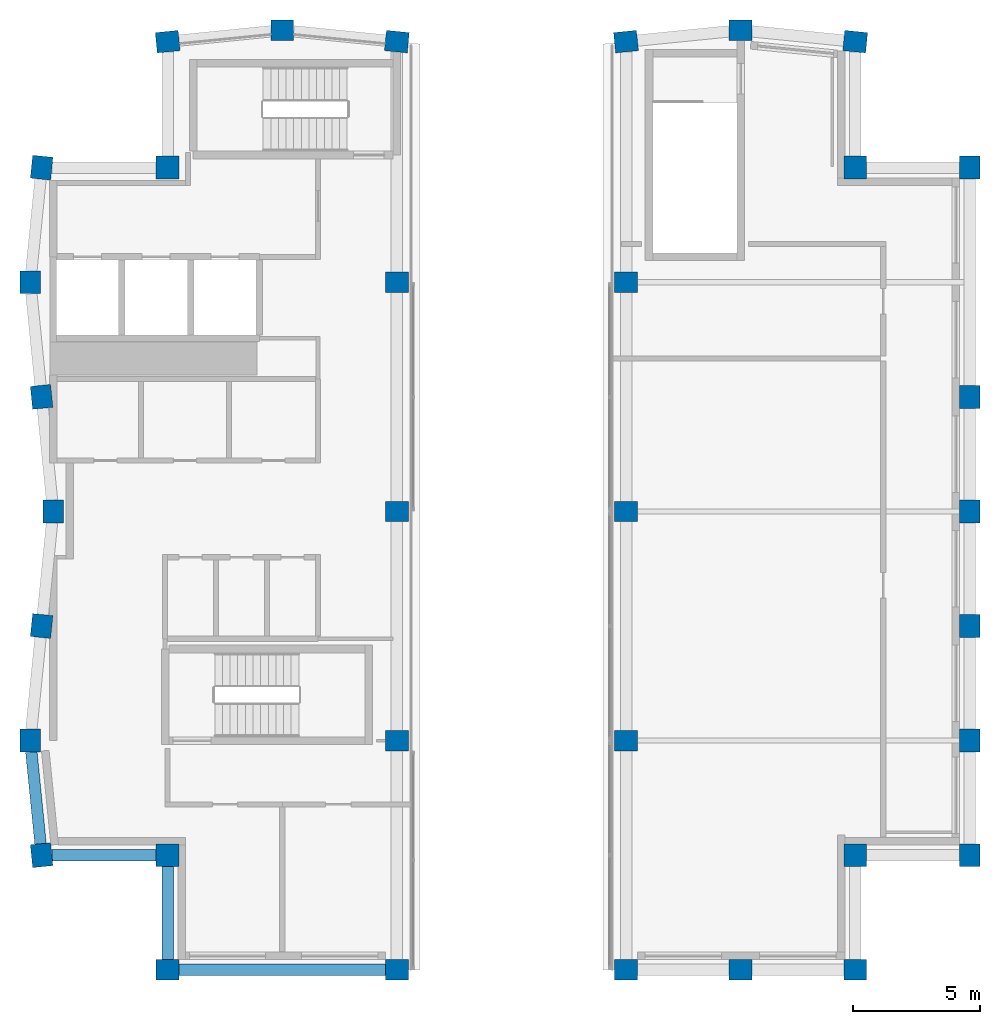
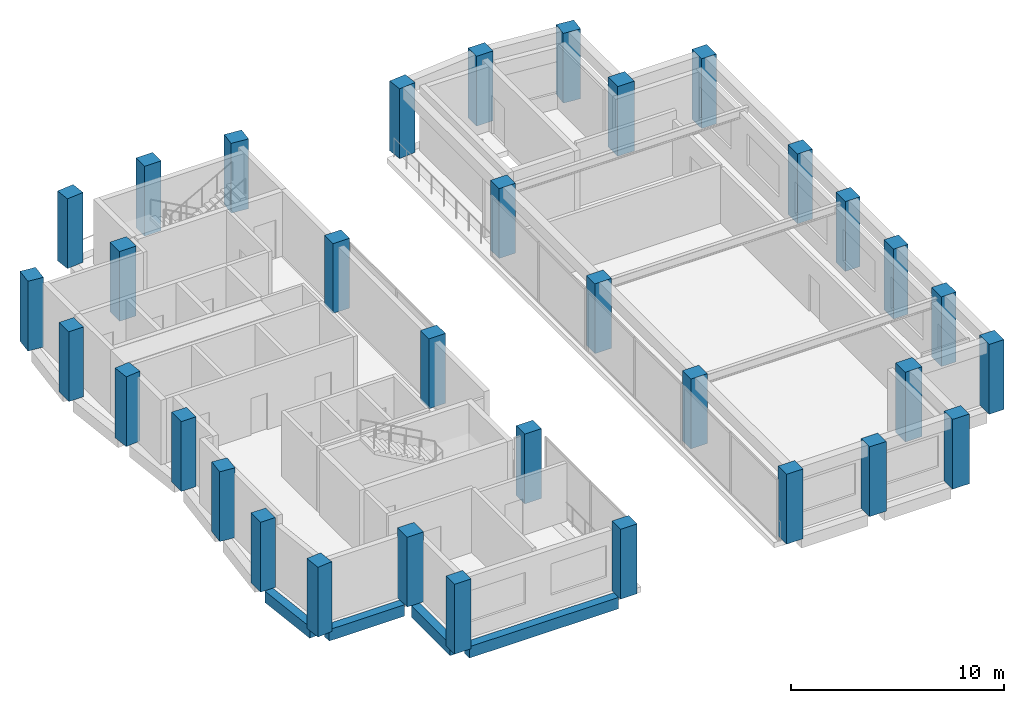
# One storey, part 1 of 9: 34 columns, 4 beams.
"""IFC4 building model written with IfcOpenShell, lengths in metres."""

from ifc_helpers import new_model, si_unit, direction, frame, origin, origin_2d, place, context, subcontext, project, spatial, rectangle, extrude, material, material_profile, profile_set, type_object, element, save


model = new_model("IFC4")

# Units and contexts
model_context = context("Model", 3, precision=1e-05, world=origin(), true_north=direction((0.0, 1.0)))
body_context = subcontext(model_context, "Body", "Model", "MODEL_VIEW")
ifc_project = project(units=[si_unit("LENGTHUNIT", "METRE"), si_unit("AREAUNIT", "SQUARE_METRE"), si_unit("VOLUMEUNIT", "CUBIC_METRE"), si_unit("PLANEANGLEUNIT", "RADIAN"), si_unit("MASSUNIT", "GRAM", prefix="KILO")], contexts=[model_context])

# Site, building, storey
site_placement = place(None, origin())
site = spatial("IfcSite", under=ifc_project, at=site_placement, CompositionType="ELEMENT")
building_placement = place(site_placement, origin())
building = spatial("IfcBuilding", under=site, at=building_placement, Name="Brondeck Convention Tower", CompositionType="ELEMENT")
storey_placement = place(building_placement, frame((0.0, 0.0, 294.800048828125)))
storey = spatial("IfcBuildingStorey", under=building, at=storey_placement, Name="L73", CompositionType="ELEMENT", Elevation=294.800048828125)

# Columns
ifc_material = material(Name="Concrete C50/60", Category="concrete")
ifc_material_profile_1 = material_profile(ifc_material, rectangle(XDim=0.89990234375, YDim=0.89990234375, at=origin_2d()), Name="Corner column 900x900 Concrete C50/60")
ifc_profile_set_1 = profile_set([ifc_material_profile_1], Name="Concrete C50/60")
column_type_1 = type_object("IfcColumnType", Name="Corner column 900x900 Concrete C50/60", PredefinedType="COLUMN", material=ifc_profile_set_1)
for number, where, z_axis, x_axis, name in (
    (1, (4.5, 31.5, 0.0), (0.0, 0.0, 1.0), (1.0, 0.0, 0.0), "STR-COL-L73-NC-KSW"),
    (2, (4.5, 58.5, 0.0), (0.0, 0.0, 1.0), (1.0, 0.0, 0.0), "STR-COL-L73-NC-NW"),
    (3, (31.5, 31.5, 0.0), (0.0, 0.0, 1.0), (1.0, 0.0, 0.0), "STR-COL-L73-NC-KSE"),
    (4, (31.5, 58.5, 0.0), (0.0, 0.0, 1.0), (1.0, 0.0, 0.0), "STR-COL-L73-NC-KNE"),
):
    element("IfcColumn", number, at=place(storey_placement, frame(where, z_axis=z_axis, x_axis=x_axis)), inside=storey, type_object=column_type_1, Name=name, PredefinedType="COLUMN", context=body_context, shape_type="SweptSolid", body=[
        extrude(rectangle(XDim=0.89990234375, YDim=0.89990234375, at=origin_2d()), origin(), (0.0, 0.0, 1.0), 4.0),
    ])
ifc_material_profile_2 = material_profile(ifc_material, rectangle(XDim=0.89990234375, YDim=0.800048828125, at=origin_2d()), Name="Crown pier 900x800 Concrete C50/60")
ifc_profile_set_2 = profile_set([ifc_material_profile_2], Name="Concrete C50/60")
column_type_2 = type_object("IfcColumnType", Name="Crown pier 900x800 Concrete C50/60", PredefinedType="COLUMN", material=ifc_profile_set_2)
for number, where, z_axis, x_axis, name in (
    (5, (4.5, 27.0, 0.0), (0.0, 0.0, 1.0), (1.0, 0.0, 0.0), "STR-COL-L73-PC-K-S-01"),
    (6, (13.5, 27.0, 0.0), (0.0, 0.0, 1.0), (1.0, 0.0, 0.0), "STR-COL-L73-PC-K-S-03"),
    (7, (13.5, 36.0, 0.0), (0.0, 0.0, 1.0), (1.0, 0.0, 0.0), "STR-COL-L73-PC-SLOT-W-01"),
    (8, (13.5, 45.0, 0.0), (0.0, 0.0, 1.0), (1.0, 0.0, 0.0), "STR-COL-L73-PC-SLOT-W-02"),
    (9, (13.5, 54.0, 0.0), (0.0, 0.0, 1.0), (1.0, 0.0, 0.0), "STR-COL-L73-PC-SLOT-W-03"),
    (10, (13.5, 63.449951171875, 0.0), (0.0, 0.0, 1.0), (-0.995037178292, 0.0995038382, 0.0), "STR-COL-L73-PC-A-N-03"),
    (11, (9.0, 63.89990234375, 0.0), (0.0, 0.0, 1.0), (-1.0, 0.0, 0.0), "STR-COL-L73-PC-A-N-02"),
    (12, (4.5, 63.449951171875, 0.0), (0.0, 0.0, 1.0), (-0.995037178292, -0.0995038382, 0.0), "STR-COL-L73-PC-A-N-01"),
    (13, (-0.449951171875, 58.5, 0.0), (0.0, 0.0, 1.0), (-0.0995038382, -0.995037178292, 0.0), "STR-COL-L73-PC-B-W-01"),
    (14, (-0.89990234375, 54.0, 0.0), (0.0, 0.0, 1.0), (0.0, -1.0, 0.0), "STR-COL-L73-PC-B-W-02"),
    (15, (-0.449951171875, 49.5, 0.0), (0.0, 0.0, 1.0), (0.0995038382, -0.995037178292, 0.0), "STR-COL-L73-PC-B-W-03"),
    (16, (0.0, 45.0, 0.0), (0.0, 0.0, 1.0), (0.0, -1.0, 0.0), "STR-COL-L73-PC-B-W-04"),
    (17, (-0.449951171875, 40.5, 0.0), (0.0, 0.0, 1.0), (-0.0995038382, -0.995037178292, 0.0), "STR-COL-L73-PC-B-W-05"),
    (18, (-0.89990234375, 36.0, 0.0), (0.0, 0.0, 1.0), (0.0, -1.0, 0.0), "STR-COL-L73-PC-B-W-06"),
    (19, (-0.449951171875, 31.5, 0.0), (0.0, 0.0, 1.0), (0.0995038382, -0.995037178292, 0.0), "STR-COL-L73-PC-B-W-07"),
    (20, (36.0, 31.5, 0.0), (0.0, 0.0, 1.0), (0.0, 1.0, 0.0), "STR-COL-L73-PC-K-E-01"),
    (21, (36.0, 36.0, 0.0), (0.0, 0.0, 1.0), (0.0, 1.0, 0.0), "STR-COL-L73-PC-K-E-02"),
    (22, (36.0, 40.5, 0.0), (0.0, 0.0, 1.0), (0.0, 1.0, 0.0), "STR-COL-L73-PC-K-E-03"),
    (23, (36.0, 45.0, 0.0), (0.0, 0.0, 1.0), (0.0, 1.0, 0.0), "STR-COL-L73-PC-K-E-04"),
    (24, (36.0, 49.5, 0.0), (0.0, 0.0, 1.0), (0.0, 1.0, 0.0), "STR-COL-L73-PC-K-E-05"),
    (25, (36.0, 58.5, 0.0), (0.0, 0.0, 1.0), (0.0, 1.0, 0.0), "STR-COL-L73-PC-K-E-07"),
    (26, (31.5, 63.449951171875, 0.0), (0.0, 0.0, 1.0), (-0.995037178292, 0.0995038382, 0.0), "STR-COL-L73-PC-A-N-07"),
    (27, (27.0, 63.89990234375, 0.0), (0.0, 0.0, 1.0), (-1.0, 0.0, 0.0), "STR-COL-L73-PC-A-N-06"),
    (28, (22.5, 63.449951171875, 0.0), (0.0, 0.0, 1.0), (-0.995037178292, -0.0995038382, 0.0), "STR-COL-L73-PC-A-N-05"),
    (29, (22.5, 54.0, 0.0), (0.0, 0.0, 1.0), (1.0, 0.0, 0.0), "STR-COL-L73-PC-SLOT-E-01"),
    (30, (22.5, 45.0, 0.0), (0.0, 0.0, 1.0), (1.0, 0.0, 0.0), "STR-COL-L73-PC-SLOT-E-02"),
    (31, (22.5, 36.0, 0.0), (0.0, 0.0, 1.0), (1.0, 0.0, 0.0), "STR-COL-L73-PC-SLOT-E-03"),
    (32, (22.5, 27.0, 0.0), (0.0, 0.0, 1.0), (1.0, 0.0, 0.0), "STR-COL-L73-PC-K-S-01-22x27"),
    (33, (27.0, 27.0, 0.0), (0.0, 0.0, 1.0), (1.0, 0.0, 0.0), "STR-COL-L73-PC-K-S-02"),
    (34, (31.5, 27.0, 0.0), (0.0, 0.0, 1.0), (1.0, 0.0, 0.0), "STR-COL-L73-PC-K-S-03-32x27"),
):
    element("IfcColumn", number, at=place(storey_placement, frame(where, z_axis=z_axis, x_axis=x_axis)), inside=storey, type_object=column_type_2, Name=name, PredefinedType="COLUMN", context=body_context, shape_type="SweptSolid", body=[
        extrude(rectangle(XDim=0.89990234375, YDim=0.800048828125, at=origin_2d()), origin(), (0.0, 0.0, 1.0), 4.0),
    ])

# Beams
ifc_material_profile_3 = material_profile(ifc_material, rectangle(XDim=0.449951171875, YDim=0.64990234375, at=origin_2d()), Name="Precast spandrel 450x650 Concrete C50/60")
ifc_profile_set_3 = profile_set([ifc_material_profile_3], Name="Concrete C50/60")
beam_type = type_object("IfcBeamType", Name="Precast spandrel 450x650 Concrete C50/60", PredefinedType="SPANDREL", material=ifc_profile_set_3)
beam_1_placement = place(storey_placement, frame((4.949951171875, 27.0, -0.324951171875), z_axis=(1.0, 0.0, 0.0), x_axis=(0.0, 1.0, 0.0)))
element("IfcBeam", 35, at=beam_1_placement, inside=storey, type_object=beam_type, Name="STR-SP-L73K1-001", PredefinedType="SPANDREL", context=body_context, shape_type="SweptSolid", body=[
    extrude(rectangle(XDim=0.449951171875, YDim=0.64990234375, at=origin_2d()), origin(), (0.0, 0.0, 1.0), 8.10009765625),
])
beam_2_placement = place(storey_placement, frame((-0.85498046875, 35.550048828125, -0.324951171875), z_axis=(0.099470334057, -0.995040528141, 0.0), x_axis=(0.995040528141, 0.099470334057, 0.0)))
element("IfcBeam", 36, at=beam_2_placement, inside=storey, type_object=beam_type, Name="STR-SP-L73K1-015", PredefinedType="SPANDREL", context=body_context, shape_type="SweptSolid", body=[
    extrude(rectangle(XDim=0.449951171875, YDim=0.64990234375, at=origin_2d()), origin(), (0.0, 0.0, 1.0), 3.620361328125),
])
beam_3_placement = place(storey_placement, frame((-0.048095703125, 31.5, -0.324951171875), z_axis=(1.0, 0.0, 0.0), x_axis=(0.0, 1.0, 0.0)))
element("IfcBeam", 37, at=beam_3_placement, inside=storey, type_object=beam_type, Name="STR-SP-L73K1-016", PredefinedType="SPANDREL", context=body_context, shape_type="SweptSolid", body=[
    extrude(rectangle(XDim=0.449951171875, YDim=0.64990234375, at=origin_2d()), origin(), (0.0, 0.0, 1.0), 4.09814453125),
])
beam_4_placement = place(storey_placement, frame((4.5, 31.050048828125, -0.324951171875), z_axis=(0.0, -1.0, 0.0), x_axis=(1.0, 0.0, 0.0)))
element("IfcBeam", 38, at=beam_4_placement, inside=storey, type_object=beam_type, Name="STR-SP-L73K1-017", PredefinedType="SPANDREL", context=body_context, shape_type="SweptSolid", body=[
    extrude(rectangle(XDim=0.449951171875, YDim=0.64990234375, at=origin_2d()), origin(), (0.0, 0.0, 1.0), 3.650146484375),
])

save(model, "model.ifc")
